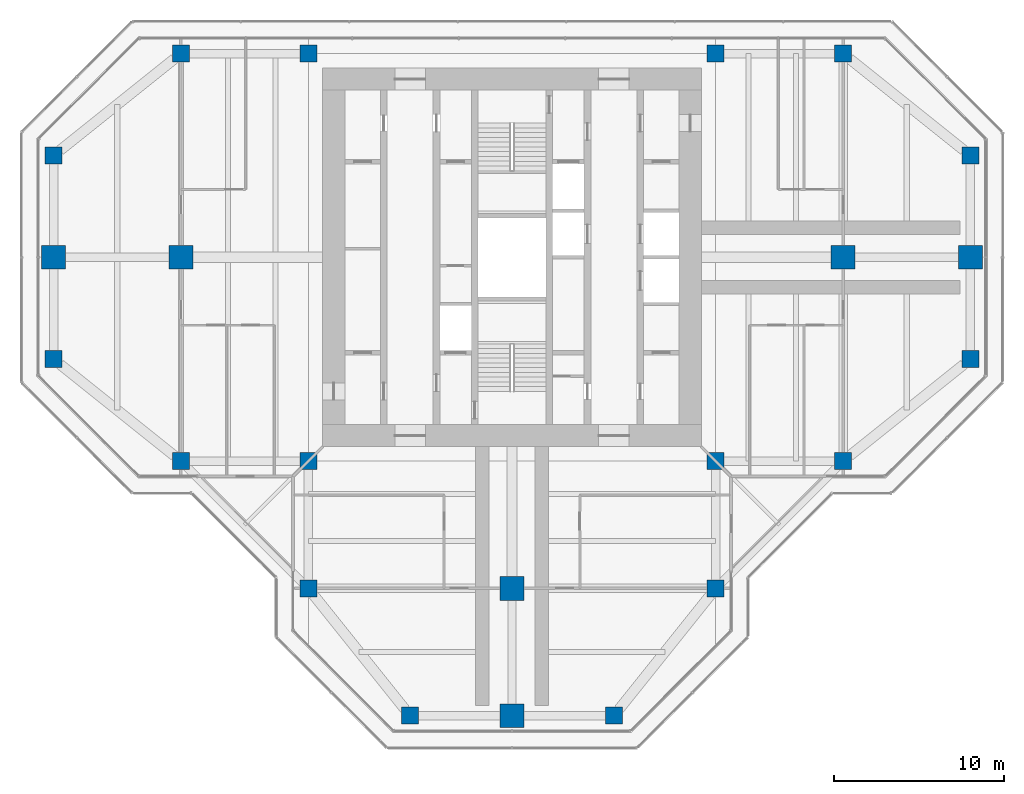
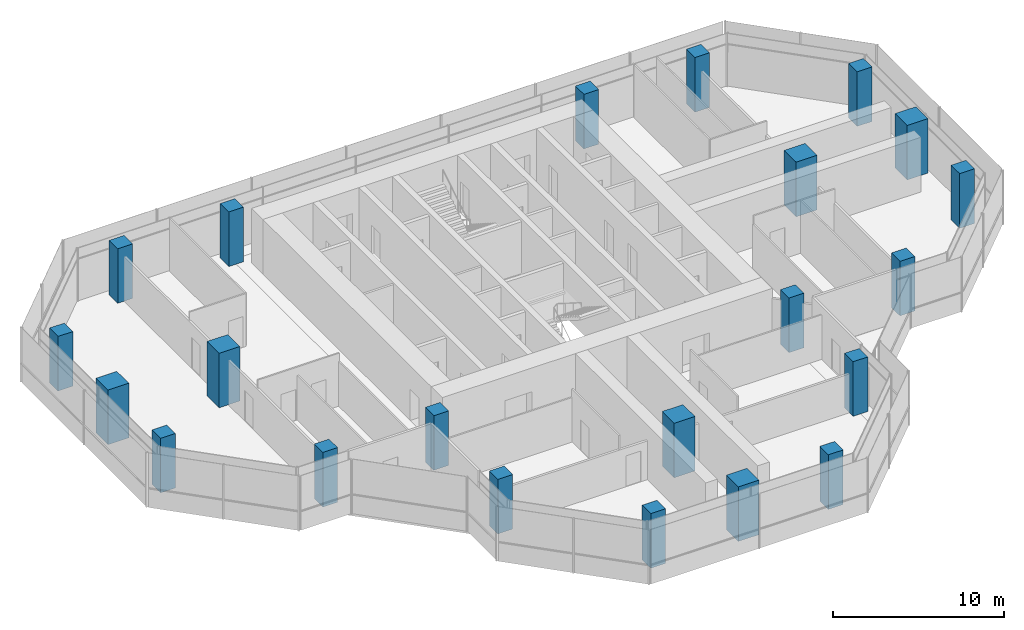
# One storey, part 1 of 16: 22 columns.
"""IFC4 building model written with IfcOpenShell, lengths in metres."""

import ifcopenshell
import ifcopenshell.guid

model = None  # the IFC model being written
_history = None  # IfcOwnerHistory: only IFC2X3 demands one
_inside = {}  # id of a spatial element -> (the spatial element, [elements in it])
_under = {}  # id of a project, library or spatial element -> (it, [spatial elements below it])
_declared = {}  # id of a project -> (the project, [libraries it declares])
_typed = {}  # id of a type object -> (the type object, [elements of that type])
_made_of = {}  # id of a material, layer set ... -> (it, [elements and type objects made of it])


def new_model(schema):
    """Start an empty IFC model of exactly this schema.

    Asked for "IFC4X3", IfcOpenShell would pick the latest addendum, in which some entities
    have other attributes; the version numbers below select the first issue.
    IFC2X3 requires an IfcOwnerHistory on every rooted entity: one is made here for all.
    """
    global model, _history
    if schema == "IFC4X3":
        model = ifcopenshell.file(schema_version=(4, 3, 0, 0))
    else:
        model = ifcopenshell.file(schema=schema)
    _inside.clear()
    _under.clear()
    _declared.clear()
    _typed.clear()
    _made_of.clear()
    _history = None
    if model.schema == "IFC2X3":
        org = make("IfcOrganization", Name="unknown")
        user = make(
            "IfcPersonAndOrganization",
            ThePerson=make("IfcPerson", FamilyName="unknown"),
            TheOrganization=org,
        )
        app = make(
            "IfcApplication",
            ApplicationDeveloper=org,
            Version="unknown",
            ApplicationFullName="unknown",
            ApplicationIdentifier="unknown",
        )
        _history = make(
            "IfcOwnerHistory",
            OwningUser=user,
            OwningApplication=app,
            ChangeAction="ADDED",
            CreationDate=0,
        )
    return model


def make(cls, **values):
    """One entity of the class cls with the attributes given. An attribute that is None is left unset."""
    return model.create_entity(
        cls, **{name: value for name, value in values.items() if value is not None}
    )


def rooted(cls, **values):
    """An entity with a GlobalId (a new one), such as an element, a storey or a relation."""
    return make(cls, GlobalId=ifcopenshell.guid.new(), OwnerHistory=_history, **values)


def si_unit(unit_type, name, prefix=None):
    """IfcSIUnit, for example si_unit("LENGTHUNIT", "METRE", prefix="MILLI")."""
    return make("IfcSIUnit", UnitType=unit_type, Prefix=prefix, Name=name)


def assignment(units):
    """IfcUnitAssignment: the units of a project."""
    return None if units is None else make("IfcUnitAssignment", Units=units)


def point(xyz):
    """IfcCartesianPoint."""
    return None if xyz is None else make("IfcCartesianPoint", Coordinates=xyz)


def direction(xyz):
    """IfcDirection."""
    return None if xyz is None else make("IfcDirection", DirectionRatios=xyz)


def frame(location, z_axis=None, x_axis=None):
    """IfcAxis2Placement3D, a coordinate frame: its origin and axes. An axis left out is left unset."""
    return make(
        "IfcAxis2Placement3D",
        Location=point(location),
        Axis=direction(z_axis),
        RefDirection=direction(x_axis),
    )


def frame_2d(location, x_axis=None):
    """IfcAxis2Placement2D, a coordinate frame in the plane: its origin and x axis."""
    return make(
        "IfcAxis2Placement2D", Location=point(location), RefDirection=direction(x_axis)
    )


def origin():
    """The frame at (0, 0, 0) with its axes left unset."""
    return frame((0.0, 0.0, 0.0))


def origin_2d():
    """The frame at (0, 0) in the plane with its x axis left unset."""
    return frame_2d((0.0, 0.0))


def place(relative_to, where):
    """IfcLocalPlacement: puts the frame where relative to a parent placement (None: the world)."""
    return make(
        "IfcLocalPlacement", PlacementRelTo=relative_to, RelativePlacement=where
    )


def context(
    kind, dimensions, precision=None, world=None, true_north=None, identifier=None
):
    """IfcGeometricRepresentationContext, for example the 3D "Model" context."""
    return make(
        "IfcGeometricRepresentationContext",
        ContextIdentifier=identifier,
        ContextType=kind,
        CoordinateSpaceDimension=dimensions,
        Precision=precision,
        WorldCoordinateSystem=world,
        TrueNorth=true_north,
    )


def subcontext(parent, identifier, kind, view, scale=None):
    """IfcGeometricRepresentationSubContext, for example "Body" below "Model"."""
    return make(
        "IfcGeometricRepresentationSubContext",
        ContextIdentifier=identifier,
        ContextType=kind,
        ParentContext=parent,
        TargetScale=scale,
        TargetView=view,
    )


def project(units=None, contexts=None):
    """IfcProject with its units and contexts."""
    return rooted(
        "IfcProject",
        Name="project",
        RepresentationContexts=contexts,
        UnitsInContext=assignment(units),
    )


def spatial(cls, under=None, at=None, **own):
    """A site, building, storey or space (cls), placed at a placement, below another one or the project."""
    s = rooted(cls, ObjectPlacement=at, **own)
    if under is not None:
        _under.setdefault(under.id(), (under, []))[1].append(s)
    return s


def profile(cls, at=None, kind="AREA", **sizes):
    """A parametric profile (cls). Its sizes go by their IFC names, for example OverallWidth=200.0."""
    return make(cls, ProfileType=kind, Position=at, **sizes)


def rectangle(**sizes):
    """IfcRectangleProfileDef."""
    return profile("IfcRectangleProfileDef", **sizes)


def extrude(swept, where, along, depth):
    """IfcExtrudedAreaSolid: the profile swept, set in the frame where, extruded along a direction by depth."""
    return make(
        "IfcExtrudedAreaSolid",
        SweptArea=swept,
        Position=where,
        ExtrudedDirection=direction(along),
        Depth=depth,
    )


def shape(context_of_items, identifier, shape_type, items):
    """IfcShapeRepresentation: the items that make up one representation, for example the "Body"."""
    return make(
        "IfcShapeRepresentation",
        ContextOfItems=context_of_items,
        RepresentationIdentifier=identifier,
        RepresentationType=shape_type,
        Items=items,
    )


def material(Name=None, Category=None):
    """IfcMaterial."""
    return make("IfcMaterial", Name=Name, Category=Category)


def material_profile(
    of_material, cross_section, Name=None, Category=None, Priority=None
):
    """IfcMaterialProfile: a cross section and its material."""
    return make(
        "IfcMaterialProfile",
        Name=Name,
        Material=of_material,
        Profile=cross_section,
        Priority=Priority,
        Category=Category,
    )


def profile_set(profiles, Name=None, composite=None):
    """IfcMaterialProfileSet."""
    return make(
        "IfcMaterialProfileSet",
        Name=Name,
        MaterialProfiles=profiles,
        CompositeProfile=composite,
    )


def made_of(thing, what):
    """Note that an element or type object is made of a material, layer set ...; save() writes the relation."""
    if what is not None:
        _made_of.setdefault(what.id(), (what, []))[1].append(thing)
    return thing


def type_object(cls, material=None, **own):
    """A type object (cls), such as IfcWallType, which elements share."""
    return made_of(rooted(cls, **own), material)


def element(
    cls,
    number,
    at=None,
    inside=None,
    cuts=None,
    type_object=None,
    material=None,
    context=None,
    identifier="Body",
    shape_type=None,
    held_by="IfcProductDefinitionShape",
    body=None,
    shapes=None,
    **own,
):
    """One element of the class cls, such as IfcWall. Its Tag is "e" and its number.

    at: its placement. inside: the storey or other place that contains it. cuts: it is an
    opening in that element (IfcRelVoidsElement). A single representation is given by context,
    identifier, shape_type and body (its items); several are given by shapes. held_by: the class
    of the entity that holds the representations. save() writes the other relations.
    """
    e = rooted(cls, Tag="e%d" % number, ObjectPlacement=at, **own)
    if body is not None:
        shapes = [shape(context, identifier, shape_type, body)]
    if shapes is not None:
        e.Representation = make(held_by, Representations=shapes)
    if inside is not None:
        _inside.setdefault(inside.id(), (inside, []))[1].append(e)
    if cuts is not None:
        rooted(
            "IfcRelVoidsElement", RelatingBuildingElement=cuts, RelatedOpeningElement=e
        )
    if type_object is not None:
        _typed.setdefault(type_object.id(), (type_object, []))[1].append(e)
    return made_of(e, material)


def aggregate(whole, parts):
    """IfcRelAggregates: a whole, such as a stair, and the parts it consists of."""
    return rooted("IfcRelAggregates", RelatingObject=whole, RelatedObjects=parts)


def save(model, path):
    """Write the relations noted so far, then the file.

    IfcRelAggregates (storeys below a building ...), IfcRelContainedInSpatialStructure (elements
    in a storey), IfcRelDefinesByType, IfcRelAssociatesMaterial and IfcRelDeclares: one each for
    every whole, place, type object, material and project.
    """
    for whole, parts in _under.values():
        aggregate(whole, parts)
    for where, things in _inside.values():
        rooted(
            "IfcRelContainedInSpatialStructure",
            RelatedElements=things,
            RelatingStructure=where,
        )
    for kind, things in _typed.values():
        rooted("IfcRelDefinesByType", RelatedObjects=things, RelatingType=kind)
    for what, things in _made_of.values():
        rooted("IfcRelAssociatesMaterial", RelatedObjects=things, RelatingMaterial=what)
    for by, libraries in _declared.values():
        rooted("IfcRelDeclares", RelatingContext=by, RelatedDefinitions=libraries)
    model.write(path)


model = new_model("IFC4")

# Units and contexts
model_context = context("Model", 3, precision=1e-05, world=origin(), true_north=direction((0.0, 1.0)))
body_context = subcontext(model_context, "Body", "Model", "MODEL_VIEW")
ifc_project = project(units=[si_unit("LENGTHUNIT", "METRE"), si_unit("AREAUNIT", "SQUARE_METRE"), si_unit("VOLUMEUNIT", "CUBIC_METRE"), si_unit("PLANEANGLEUNIT", "RADIAN"), si_unit("MASSUNIT", "GRAM", prefix="KILO")], contexts=[model_context])

# Site, building, storey
site_placement = place(None, origin())
site = spatial("IfcSite", under=ifc_project, at=site_placement, CompositionType="ELEMENT")
building_placement = place(site_placement, origin())
building = spatial("IfcBuilding", under=site, at=building_placement, Name="Mizan Broadcast Tower", CompositionType="ELEMENT")
storey_placement = place(building_placement, frame((0.0, 0.0, 294.60009765625)))
storey = spatial("IfcBuildingStorey", under=building, at=storey_placement, Name="L70", CompositionType="ELEMENT", Elevation=294.60009765625)

# Columns
ifc_material_1 = material(Name="Concrete C70/85", Category="concrete")
ifc_material_profile_1 = material_profile(ifc_material_1, rectangle(XDim=1.0, YDim=1.0, at=origin_2d()), Name="RC 1000x1000")
ifc_profile_set_1 = profile_set([ifc_material_profile_1], Name="Concrete C70/85")
column_type_1 = type_object("IfcColumnType", Name="RC COLUMN 1000x1000 C70/85", PredefinedType="COLUMN", material=ifc_profile_set_1)
for number, where, z_axis, x_axis, name in (
    (1, (-6.0, -27.0, 0.0), (0.0, 0.0, 1.0), (1.0, 0.0, 0.0), "Column 5/B L70"),
    (2, (6.0, -27.0, 0.0), (0.0, 0.0, 1.0), (1.0, 0.0, 0.0), "Column 7/B L70"),
    (3, (-12.0, -19.5, 0.0), (0.0, 0.0, 1.0), (1.0, 0.0, 0.0), "Column 4/C L70"),
    (4, (12.0, -19.5, 0.0), (0.0, 0.0, 1.0), (1.0, 0.0, 0.0), "Column 8/C L70"),
    (5, (-19.5, -12.0, 0.0), (0.0, 0.0, 1.0), (1.0, 0.0, 0.0), "Column 3/D L70"),
    (6, (-12.0, -12.0, 0.0), (0.0, 0.0, 1.0), (1.0, 0.0, 0.0), "Column 4/D L70"),
    (7, (12.0, -12.0, 0.0), (0.0, 0.0, 1.0), (1.0, 0.0, 0.0), "Column 8/D L70"),
    (8, (19.5, -12.0, 0.0), (0.0, 0.0, 1.0), (1.0, 0.0, 0.0), "Column 9/D L70"),
    (9, (-27.0, -6.0, 0.0), (0.0, 0.0, 1.0), (1.0, 0.0, 0.0), "Column 2/E L70"),
    (10, (27.0, -6.0, 0.0), (0.0, 0.0, 1.0), (1.0, 0.0, 0.0), "Column 10/E L70"),
    (11, (-27.0, 6.0, 0.0), (0.0, 0.0, 1.0), (1.0, 0.0, 0.0), "Column 2/G L70"),
    (12, (27.0, 6.0, 0.0), (0.0, 0.0, 1.0), (1.0, 0.0, 0.0), "Column 10/G L70"),
    (13, (-19.5, 12.0, 0.0), (0.0, 0.0, 1.0), (1.0, 0.0, 0.0), "Column 3/H L70"),
    (14, (-12.0, 12.0, 0.0), (0.0, 0.0, 1.0), (1.0, 0.0, 0.0), "Column 4/H L70"),
    (15, (12.0, 12.0, 0.0), (0.0, 0.0, 1.0), (1.0, 0.0, 0.0), "Column 8/H L70"),
    (16, (19.5, 12.0, 0.0), (0.0, 0.0, 1.0), (1.0, 0.0, 0.0), "Column 9/H L70"),
):
    element("IfcColumn", number, at=place(storey_placement, frame(where, z_axis=z_axis, x_axis=x_axis)), inside=storey, type_object=column_type_1, Name=name, PredefinedType="COLUMN", context=body_context, shape_type="SweptSolid", body=[
        extrude(rectangle(XDim=1.0, YDim=1.0, at=origin_2d()), origin(), (0.0, 0.0, 1.0), 3.89990234375),
    ])
ifc_material_2 = material(Name="Concrete C70/85", Category="concrete")
ifc_material_profile_2 = material_profile(ifc_material_2, rectangle(XDim=1.39990234375, YDim=1.39990234375, at=origin_2d()), Name="RC 1400x1400")
ifc_profile_set_2 = profile_set([ifc_material_profile_2], Name="Concrete C70/85")
column_type_2 = type_object("IfcColumnType", Name="RC COLUMN 1400x1400 C70/85", PredefinedType="COLUMN", material=ifc_profile_set_2)
for number, where, z_axis, x_axis, name in (
    (17, (0.0, -27.0, 0.0), (0.0, 0.0, 1.0), (1.0, 0.0, 0.0), "Column 6/B L70"),
    (18, (0.0, -19.5, 0.0), (0.0, 0.0, 1.0), (1.0, 0.0, 0.0), "Column 6/C L70"),
    (19, (-27.0, 0.0, 0.0), (0.0, 0.0, 1.0), (1.0, 0.0, 0.0), "Column 2/F L70"),
    (20, (-19.5, 0.0, 0.0), (0.0, 0.0, 1.0), (1.0, 0.0, 0.0), "Column 3/F L70"),
    (21, (19.5, 0.0, 0.0), (0.0, 0.0, 1.0), (1.0, 0.0, 0.0), "Column 9/F L70"),
    (22, (27.0, 0.0, 0.0), (0.0, 0.0, 1.0), (1.0, 0.0, 0.0), "Column 10/F L70"),
):
    element("IfcColumn", number, at=place(storey_placement, frame(where, z_axis=z_axis, x_axis=x_axis)), inside=storey, type_object=column_type_2, Name=name, PredefinedType="COLUMN", context=body_context, shape_type="SweptSolid", body=[
        extrude(rectangle(XDim=1.39990234375, YDim=1.39990234375, at=origin_2d()), origin(), (0.0, 0.0, 1.0), 3.89990234375),
    ])

save(model, "model.ifc")
